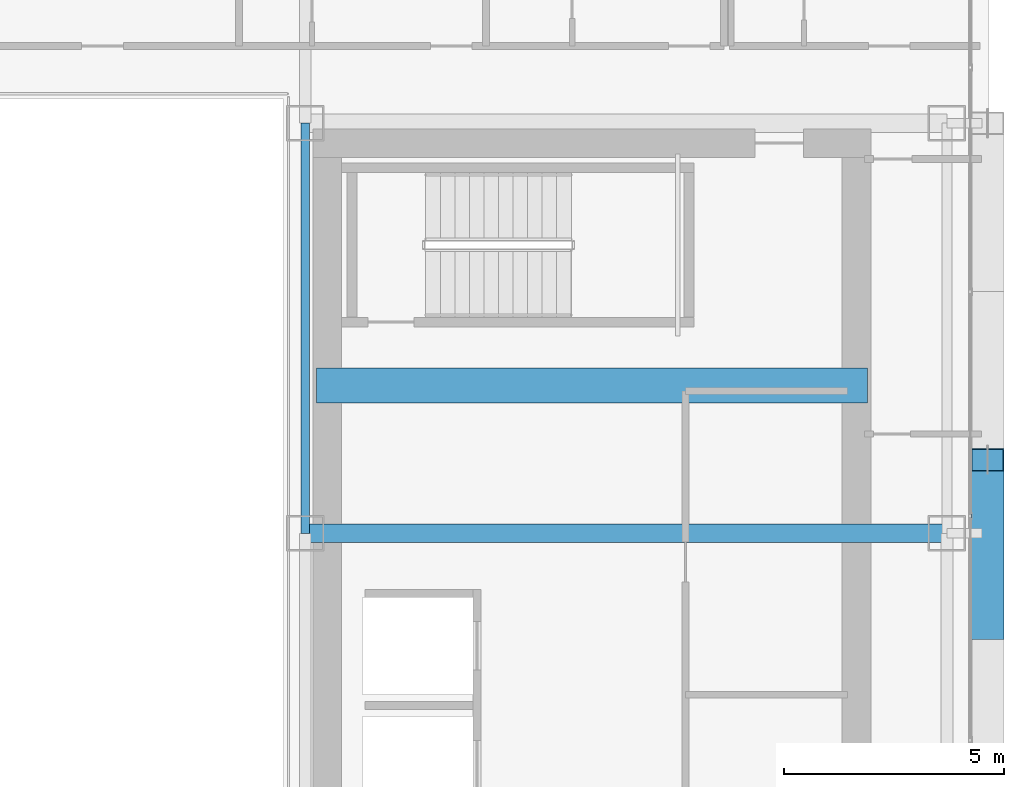
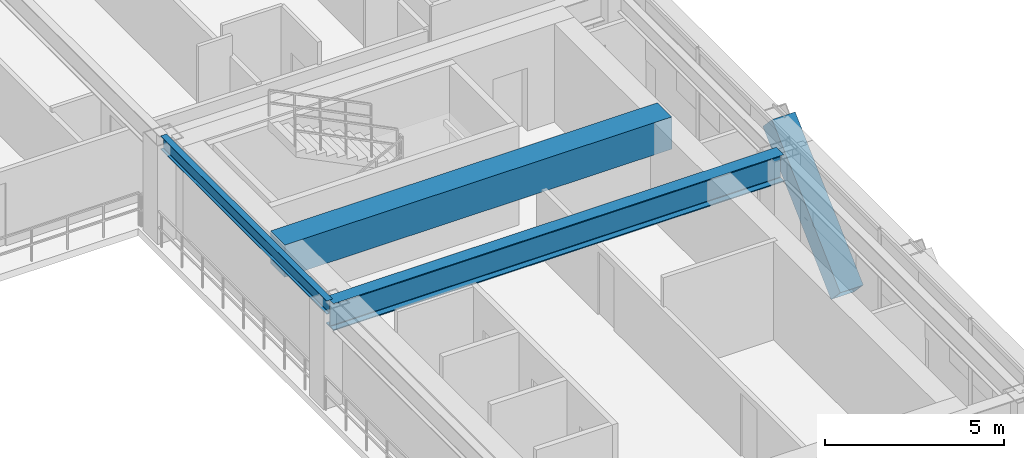
# One storey, part 14 of 35: 3 beams, 1 member.
"""IFC4 building model written with IfcOpenShell, lengths in metres."""

from ifc_helpers import new_model, si_unit, direction, frame, origin, origin_2d, place, context, subcontext, project, spatial, rectangle, hollow_rectangle, i_section, extrude, source, transform, mapped, material, material_profile, profile_set, type_object, element, save


model = new_model("IFC4")

# Units and contexts
model_context = context("Model", 3, precision=1e-05, world=origin(), true_north=direction((0.0, 1.0)))
body_context = subcontext(model_context, "Body", "Model", "MODEL_VIEW")
ifc_project = project(units=[si_unit("LENGTHUNIT", "METRE"), si_unit("AREAUNIT", "SQUARE_METRE"), si_unit("VOLUMEUNIT", "CUBIC_METRE"), si_unit("PLANEANGLEUNIT", "RADIAN"), si_unit("MASSUNIT", "GRAM", prefix="KILO")], contexts=[model_context])

# Site, building, storey
site_placement = place(None, origin())
site = spatial("IfcSite", under=ifc_project, at=site_placement, CompositionType="ELEMENT")
building_placement = place(site_placement, origin())
building = spatial("IfcBuilding", under=site, at=building_placement, Name="Ocotamira Hotel", CompositionType="ELEMENT")
storey_placement = place(building_placement, frame((0.0, 0.0, 122.39990234375)))
storey = spatial("IfcBuildingStorey", under=building, at=storey_placement, Name="L30", CompositionType="ELEMENT", Elevation=122.39990234375)

# Beams
ifc_material_1 = material(Name="Concrete C60/75", Category="concrete")
ifc_material_profile_1 = material_profile(ifc_material_1, rectangle(XDim=0.800048828125, YDim=1.10009765625, at=origin_2d()), Name="RC800X1100")
ifc_profile_set_1 = profile_set([ifc_material_profile_1], Name="Concrete C60/75")
beam_type_1 = type_object("IfcBeamType", Name="BM-LINK-RC800", PredefinedType="LINTEL", material=ifc_profile_set_1)
shared_shape_1 = source(origin(), body_context, "Body", "SweptSolid", [
    extrude(rectangle(XDim=0.800048828125, YDim=1.10009765625, at=origin_2d()), origin(), (0.0, 0.0, 1.0), 12.5),
])
beam_1_placement = place(storey_placement, frame((40.75, 31.5, 2.81005859375), z_axis=(1.0, 0.0, 0.0), x_axis=(0.0, 1.0, 0.0)))
element("IfcBeam", 1, at=beam_1_placement, inside=storey, type_object=beam_type_1, Name="L30 East Core Coupling Beam", PredefinedType="LINTEL", context=body_context, shape_type="MappedRepresentation", body=[
    mapped(shared_shape_1, transform((0.0, 0.0, 0.0), scale=1.0)),
])
ifc_material_2 = material(Name="Steel ASTM A992 Grade 50", Category="steel")
ifc_material_profile_2 = material_profile(ifc_material_2, i_section(OverallWidth=0.41796875, OverallDepth=0.927001953125, WebThickness=0.019287109375, FlangeThickness=0.031982421875, FilletRadius=0.02392578125, at=origin_2d()), Name="W36X231")
ifc_profile_set_2 = profile_set([ifc_material_profile_2], Name="Steel ASTM A992 Grade 50")
beam_type_2 = type_object("IfcBeamType", Name="BM-GIRD-W36X231", PredefinedType="BEAM", material=ifc_profile_set_2)
shared_shape_2 = source(origin(), body_context, "Body", "SweptSolid", [
    extrude(i_section(OverallWidth=0.41796875, OverallDepth=0.927001953125, WebThickness=0.019287109375, FlangeThickness=0.031982421875, FilletRadius=0.02392578125, at=origin_2d()), origin(), (0.0, 0.0, 1.0), 14.550048828125),
])
beam_2_placement = place(storey_placement, frame((40.5, 28.14990234375, 2.896484375), z_axis=(1.0, 0.0, 0.0), x_axis=(0.0, 1.0, 0.0)))
element("IfcBeam", 2, at=beam_2_placement, inside=storey, type_object=beam_type_2, Name="L30 Girder Y28.15 X40.5-55.05", PredefinedType="BEAM", context=body_context, shape_type="MappedRepresentation", body=[
    mapped(shared_shape_2, transform((0.0, 0.0, 0.0), scale=1.0)),
])
ifc_material_profile_3 = material_profile(ifc_material_2, i_section(OverallWidth=0.18994140625, OverallDepth=0.45703125, WebThickness=0.009033203125, FlangeThickness=0.014404296875, FilletRadius=0.010009765625, at=origin_2d()), Name="W18X50")
ifc_profile_set_3 = profile_set([ifc_material_profile_3], Name="Steel ASTM A992 Grade 50")
beam_type_3 = type_object("IfcBeamType", Name="BM-SEC-W18X50", PredefinedType="JOIST", material=ifc_profile_set_3)
shared_shape_3 = source(origin(), body_context, "Body", "SweptSolid", [
    extrude(i_section(OverallWidth=0.18994140625, OverallDepth=0.45703125, WebThickness=0.009033203125, FlangeThickness=0.014404296875, FilletRadius=0.010009765625, at=origin_2d()), origin(), (0.0, 0.0, 1.0), 9.300048828125),
])
beam_3_placement = place(storey_placement, frame((40.5, 28.14990234375, 3.131591796875), z_axis=(0.0, 1.0, 0.0), x_axis=(-1.0, 0.0, 0.0)))
element("IfcBeam", 3, at=beam_3_placement, inside=storey, type_object=beam_type_3, Name="L30 Beam X40.5 Y28.15-37.45", PredefinedType="JOIST", context=body_context, shape_type="MappedRepresentation", body=[
    mapped(shared_shape_3, transform((0.0, 0.0, 0.0), scale=1.0)),
])

# Member
ifc_material_3 = material(Name="Pale-metal coated steel ASTM A913 Grade 65", Category="steel")
ifc_material_profile_4 = material_profile(ifc_material_3, hollow_rectangle(XDim=0.75, YDim=0.75, WallThickness=0.028076171875, at=origin_2d()), Name="BOX750X750X28")
ifc_profile_set_4 = profile_set([ifc_material_profile_4], Name="Pale-metal coated steel ASTM A913 Grade 65")
member_type = type_object("IfcMemberType", Name="MEM-EXO-BOX750", PredefinedType="BRACE", material=ifc_profile_set_4)
shared_shape_4 = source(origin(), body_context, "Body", "SweptSolid", [
    extrude(hollow_rectangle(XDim=0.75, YDim=0.75, WallThickness=0.028076171875, at=origin_2d()), origin(), (0.0, 0.0, 1.0), 5.24658203125),
])
member_placement = place(storey_placement, frame((55.969970703125, 26.0, -0.489990234375), z_axis=(0.0, 0.727442733726, 0.686168397078), x_axis=(-1.0, 0.0, 0.0)))
element("IfcMember", 4, at=member_placement, inside=storey, type_object=member_type, Name="L30 Exoskeleton Diagrid E1.2", PredefinedType="BRACE", context=body_context, shape_type="MappedRepresentation", body=[
    mapped(shared_shape_4, transform((0.0, 0.0, 0.0), scale=1.0)),
])

save(model, "model.ifc")
